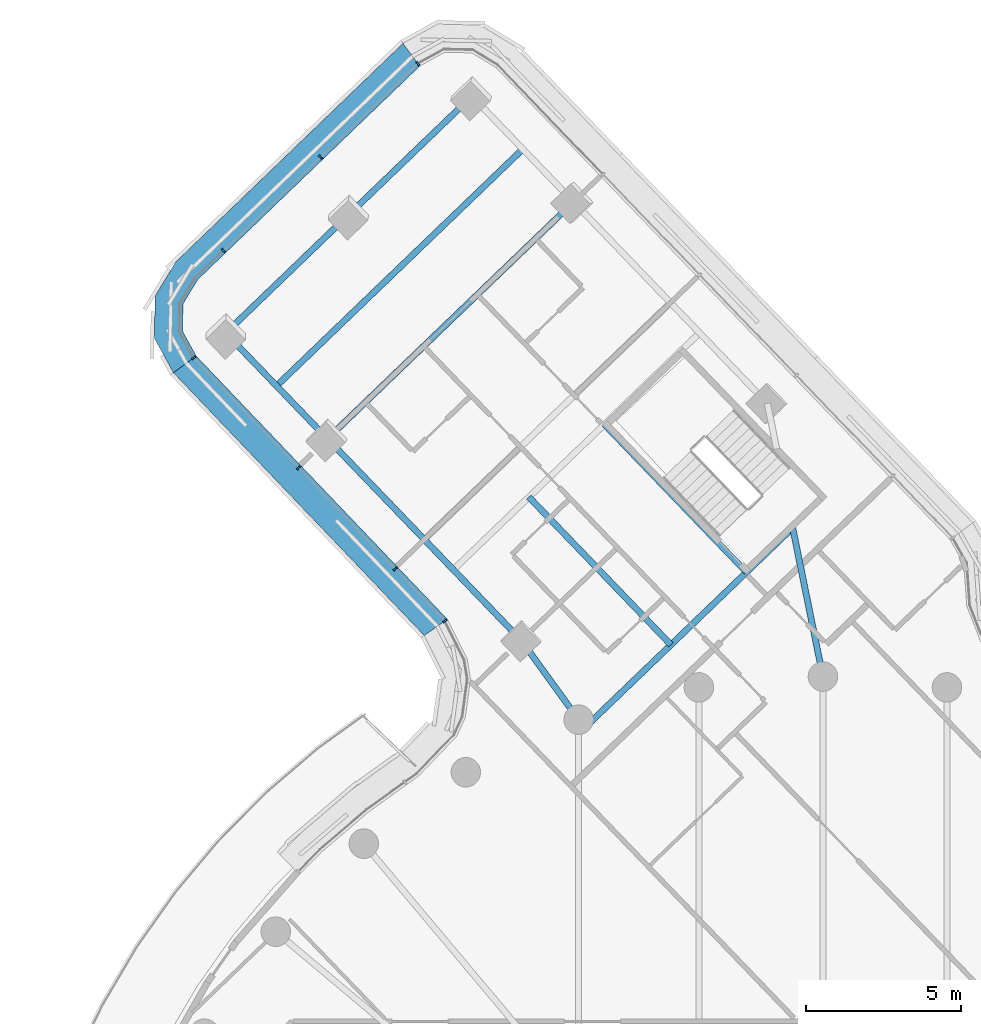
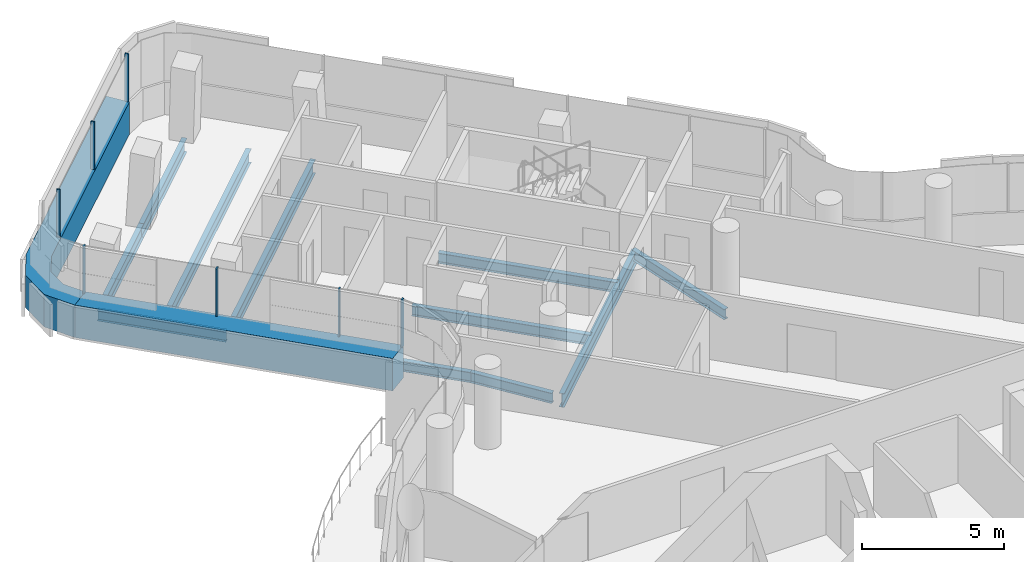
# One storey, part 15 of 34: 11 beams, 9 members, 3 elements without a shape of their own.
"""IFC4 building model written with IfcOpenShell, lengths in metres."""

import ifcopenshell
import ifcopenshell.guid

model = None  # the IFC model being written
_history = None  # IfcOwnerHistory: only IFC2X3 demands one
_inside = {}  # id of a spatial element -> (the spatial element, [elements in it])
_under = {}  # id of a project, library or spatial element -> (it, [spatial elements below it])
_declared = {}  # id of a project -> (the project, [libraries it declares])
_typed = {}  # id of a type object -> (the type object, [elements of that type])
_made_of = {}  # id of a material, layer set ... -> (it, [elements and type objects made of it])


def new_model(schema):
    """Start an empty IFC model of exactly this schema.

    Asked for "IFC4X3", IfcOpenShell would pick the latest addendum, in which some entities
    have other attributes; the version numbers below select the first issue.
    IFC2X3 requires an IfcOwnerHistory on every rooted entity: one is made here for all.
    """
    global model, _history
    if schema == "IFC4X3":
        model = ifcopenshell.file(schema_version=(4, 3, 0, 0))
    else:
        model = ifcopenshell.file(schema=schema)
    _inside.clear()
    _under.clear()
    _declared.clear()
    _typed.clear()
    _made_of.clear()
    _history = None
    if model.schema == "IFC2X3":
        org = make("IfcOrganization", Name="unknown")
        user = make(
            "IfcPersonAndOrganization",
            ThePerson=make("IfcPerson", FamilyName="unknown"),
            TheOrganization=org,
        )
        app = make(
            "IfcApplication",
            ApplicationDeveloper=org,
            Version="unknown",
            ApplicationFullName="unknown",
            ApplicationIdentifier="unknown",
        )
        _history = make(
            "IfcOwnerHistory",
            OwningUser=user,
            OwningApplication=app,
            ChangeAction="ADDED",
            CreationDate=0,
        )
    return model


def make(cls, **values):
    """One entity of the class cls with the attributes given. An attribute that is None is left unset."""
    return model.create_entity(
        cls, **{name: value for name, value in values.items() if value is not None}
    )


def rooted(cls, **values):
    """An entity with a GlobalId (a new one), such as an element, a storey or a relation."""
    return make(cls, GlobalId=ifcopenshell.guid.new(), OwnerHistory=_history, **values)


def si_unit(unit_type, name, prefix=None):
    """IfcSIUnit, for example si_unit("LENGTHUNIT", "METRE", prefix="MILLI")."""
    return make("IfcSIUnit", UnitType=unit_type, Prefix=prefix, Name=name)


def assignment(units):
    """IfcUnitAssignment: the units of a project."""
    return None if units is None else make("IfcUnitAssignment", Units=units)


def point(xyz):
    """IfcCartesianPoint."""
    return None if xyz is None else make("IfcCartesianPoint", Coordinates=xyz)


def direction(xyz):
    """IfcDirection."""
    return None if xyz is None else make("IfcDirection", DirectionRatios=xyz)


def frame(location, z_axis=None, x_axis=None):
    """IfcAxis2Placement3D, a coordinate frame: its origin and axes. An axis left out is left unset."""
    return make(
        "IfcAxis2Placement3D",
        Location=point(location),
        Axis=direction(z_axis),
        RefDirection=direction(x_axis),
    )


def frame_2d(location, x_axis=None):
    """IfcAxis2Placement2D, a coordinate frame in the plane: its origin and x axis."""
    return make(
        "IfcAxis2Placement2D", Location=point(location), RefDirection=direction(x_axis)
    )


def origin():
    """The frame at (0, 0, 0) with its axes left unset."""
    return frame((0.0, 0.0, 0.0))


def origin_2d():
    """The frame at (0, 0) in the plane with its x axis left unset."""
    return frame_2d((0.0, 0.0))


def place(relative_to, where):
    """IfcLocalPlacement: puts the frame where relative to a parent placement (None: the world)."""
    return make(
        "IfcLocalPlacement", PlacementRelTo=relative_to, RelativePlacement=where
    )


def context(
    kind, dimensions, precision=None, world=None, true_north=None, identifier=None
):
    """IfcGeometricRepresentationContext, for example the 3D "Model" context."""
    return make(
        "IfcGeometricRepresentationContext",
        ContextIdentifier=identifier,
        ContextType=kind,
        CoordinateSpaceDimension=dimensions,
        Precision=precision,
        WorldCoordinateSystem=world,
        TrueNorth=true_north,
    )


def subcontext(parent, identifier, kind, view, scale=None):
    """IfcGeometricRepresentationSubContext, for example "Body" below "Model"."""
    return make(
        "IfcGeometricRepresentationSubContext",
        ContextIdentifier=identifier,
        ContextType=kind,
        ParentContext=parent,
        TargetScale=scale,
        TargetView=view,
    )


def project(units=None, contexts=None):
    """IfcProject with its units and contexts."""
    return rooted(
        "IfcProject",
        Name="project",
        RepresentationContexts=contexts,
        UnitsInContext=assignment(units),
    )


def spatial(cls, under=None, at=None, **own):
    """A site, building, storey or space (cls), placed at a placement, below another one or the project."""
    s = rooted(cls, ObjectPlacement=at, **own)
    if under is not None:
        _under.setdefault(under.id(), (under, []))[1].append(s)
    return s


def polyline(points):
    """IfcPolyline through the points."""
    return make("IfcPolyline", Points=[point(p) for p in points])


def profile(cls, at=None, kind="AREA", **sizes):
    """A parametric profile (cls). Its sizes go by their IFC names, for example OverallWidth=200.0."""
    return make(cls, ProfileType=kind, Position=at, **sizes)


def rectangle(**sizes):
    """IfcRectangleProfileDef."""
    return profile("IfcRectangleProfileDef", **sizes)


def i_section(**sizes):
    """IfcIShapeProfileDef."""
    return profile("IfcIShapeProfileDef", **sizes)


def outline(outer, holes=None, kind="AREA"):
    """IfcArbitraryClosedProfileDef: a profile drawn as a closed curve; with holes, ...WithVoids."""
    if holes is None:
        return make("IfcArbitraryClosedProfileDef", ProfileType=kind, OuterCurve=outer)
    return make(
        "IfcArbitraryProfileDefWithVoids",
        ProfileType=kind,
        OuterCurve=outer,
        InnerCurves=holes,
    )


def extrude(swept, where, along, depth):
    """IfcExtrudedAreaSolid: the profile swept, set in the frame where, extruded along a direction by depth."""
    return make(
        "IfcExtrudedAreaSolid",
        SweptArea=swept,
        Position=where,
        ExtrudedDirection=direction(along),
        Depth=depth,
    )


def shape(context_of_items, identifier, shape_type, items):
    """IfcShapeRepresentation: the items that make up one representation, for example the "Body"."""
    return make(
        "IfcShapeRepresentation",
        ContextOfItems=context_of_items,
        RepresentationIdentifier=identifier,
        RepresentationType=shape_type,
        Items=items,
    )


def material(Name=None, Category=None):
    """IfcMaterial."""
    return make("IfcMaterial", Name=Name, Category=Category)


def layer(
    of_material, thickness, ventilated=None, Name=None, Category=None, Priority=None
):
    """IfcMaterialLayer: one layer of a wall or slab, of a material (None: an air gap)."""
    return make(
        "IfcMaterialLayer",
        Material=of_material,
        LayerThickness=thickness,
        IsVentilated=ventilated,
        Name=Name,
        Category=Category,
        Priority=Priority,
    )


def layer_set(layers, Name=None):
    """IfcMaterialLayerSet."""
    return make("IfcMaterialLayerSet", MaterialLayers=layers, LayerSetName=Name)


def material_profile(
    of_material, cross_section, Name=None, Category=None, Priority=None
):
    """IfcMaterialProfile: a cross section and its material."""
    return make(
        "IfcMaterialProfile",
        Name=Name,
        Material=of_material,
        Profile=cross_section,
        Priority=Priority,
        Category=Category,
    )


def profile_set(profiles, Name=None, composite=None):
    """IfcMaterialProfileSet."""
    return make(
        "IfcMaterialProfileSet",
        Name=Name,
        MaterialProfiles=profiles,
        CompositeProfile=composite,
    )


def made_of(thing, what):
    """Note that an element or type object is made of a material, layer set ...; save() writes the relation."""
    if what is not None:
        _made_of.setdefault(what.id(), (what, []))[1].append(thing)
    return thing


def type_object(cls, material=None, **own):
    """A type object (cls), such as IfcWallType, which elements share."""
    return made_of(rooted(cls, **own), material)


def element(
    cls,
    number,
    at=None,
    inside=None,
    cuts=None,
    type_object=None,
    material=None,
    context=None,
    identifier="Body",
    shape_type=None,
    held_by="IfcProductDefinitionShape",
    body=None,
    shapes=None,
    **own,
):
    """One element of the class cls, such as IfcWall. Its Tag is "e" and its number.

    at: its placement. inside: the storey or other place that contains it. cuts: it is an
    opening in that element (IfcRelVoidsElement). A single representation is given by context,
    identifier, shape_type and body (its items); several are given by shapes. held_by: the class
    of the entity that holds the representations. save() writes the other relations.
    """
    e = rooted(cls, Tag="e%d" % number, ObjectPlacement=at, **own)
    if body is not None:
        shapes = [shape(context, identifier, shape_type, body)]
    if shapes is not None:
        e.Representation = make(held_by, Representations=shapes)
    if inside is not None:
        _inside.setdefault(inside.id(), (inside, []))[1].append(e)
    if cuts is not None:
        rooted(
            "IfcRelVoidsElement", RelatingBuildingElement=cuts, RelatedOpeningElement=e
        )
    if type_object is not None:
        _typed.setdefault(type_object.id(), (type_object, []))[1].append(e)
    return made_of(e, material)


def aggregate(whole, parts):
    """IfcRelAggregates: a whole, such as a stair, and the parts it consists of."""
    return rooted("IfcRelAggregates", RelatingObject=whole, RelatedObjects=parts)


def save(model, path):
    """Write the relations noted so far, then the file.

    IfcRelAggregates (storeys below a building ...), IfcRelContainedInSpatialStructure (elements
    in a storey), IfcRelDefinesByType, IfcRelAssociatesMaterial and IfcRelDeclares: one each for
    every whole, place, type object, material and project.
    """
    for whole, parts in _under.values():
        aggregate(whole, parts)
    for where, things in _inside.values():
        rooted(
            "IfcRelContainedInSpatialStructure",
            RelatedElements=things,
            RelatingStructure=where,
        )
    for kind, things in _typed.values():
        rooted("IfcRelDefinesByType", RelatedObjects=things, RelatingType=kind)
    for what, things in _made_of.values():
        rooted("IfcRelAssociatesMaterial", RelatedObjects=things, RelatingMaterial=what)
    for by, libraries in _declared.values():
        rooted("IfcRelDeclares", RelatingContext=by, RelatedDefinitions=libraries)
    model.write(path)


model = new_model("IFC4")

# Units and contexts
model_context = context("Model", 3, precision=1e-05, world=origin(), true_north=direction((0.0, 1.0)))
body_context = subcontext(model_context, "Body", "Model", "MODEL_VIEW")
ifc_project = project(units=[si_unit("LENGTHUNIT", "METRE"), si_unit("AREAUNIT", "SQUARE_METRE"), si_unit("VOLUMEUNIT", "CUBIC_METRE"), si_unit("PLANEANGLEUNIT", "RADIAN"), si_unit("MASSUNIT", "GRAM", prefix="KILO")], contexts=[model_context])

# Site, building, storey
site_placement = place(None, origin())
site = spatial("IfcSite", under=ifc_project, at=site_placement, CompositionType="ELEMENT")
building_placement = place(site_placement, origin())
building = spatial("IfcBuilding", under=site, at=building_placement, Name="Tamarind Cross Interchange Tower", CompositionType="ELEMENT")
storey_placement = place(building_placement, frame((0.0, 0.0, 193.300048828125)))
storey = spatial("IfcBuildingStorey", under=building, at=storey_placement, Name="L48", CompositionType="ELEMENT", Elevation=193.300048828125)

# Beams
ifc_material_1 = material(Name="Steel Q355B", Category="steel")
ifc_material_profile_1 = material_profile(ifc_material_1, i_section(OverallWidth=0.198974609375, OverallDepth=0.446044921875, WebThickness=0.008056640625, FlangeThickness=0.011962890625, FilletRadius=0.012939453125, at=origin_2d()), Name="HN 446x199x8x12")
ifc_profile_set_1 = profile_set([ifc_material_profile_1], Name="Steel Q355B")
beam_type_1 = type_object("IfcBeamType", Name="Composite beam HN 446x199x8x12 Q355B", PredefinedType="BEAM", material=ifc_profile_set_1)
beam_1_placement = place(storey_placement, frame((-19.231201171875, 34.062255859375, -0.363037109375), z_axis=(0.693201651519, -0.720743692537, 0.0), x_axis=(0.720743692537, 0.693201651519, 0.0)))
element("IfcBeam", 1, at=beam_1_placement, inside=storey, type_object=beam_type_1, Name="Beam N-edgeep2", PredefinedType="BEAM", context=body_context, shape_type="SweptSolid", body=[
    extrude(i_section(OverallWidth=0.198974609375, OverallDepth=0.446044921875, WebThickness=0.008056640625, FlangeThickness=0.011962890625, FilletRadius=0.012939453125, at=origin_2d()), origin(), (0.0, 0.0, 1.0), 4.724609375),
])
beam_2_placement = place(storey_placement, frame((-15.9560546875, 30.656982421875, -0.363037109375), z_axis=(0.693164551899, -0.720779372618, 0.0), x_axis=(0.720779372618, 0.693164551899, 0.0)))
element("IfcBeam", 2, at=beam_2_placement, inside=storey, type_object=beam_type_1, Name="Beam N-edgeep3", PredefinedType="BEAM", context=body_context, shape_type="SweptSolid", body=[
    extrude(i_section(OverallWidth=0.198974609375, OverallDepth=0.446044921875, WebThickness=0.008056640625, FlangeThickness=0.011962890625, FilletRadius=0.012939453125, at=origin_2d()), origin(), (0.0, 0.0, 1.0), 9.0),
])
beam_3_placement = place(storey_placement, frame((-0.986572265625, 27.849609375, -0.363037109375), z_axis=(0.199350100332, -0.979928332837, 0.0), x_axis=(0.979928332837, 0.199350100332, 0.0)))
element("IfcBeam", 3, at=beam_3_placement, inside=storey, type_object=beam_type_1, Name="Beam N-linkemt1", PredefinedType="BEAM", context=body_context, shape_type="SweptSolid", body=[
    extrude(i_section(OverallWidth=0.198974609375, OverallDepth=0.446044921875, WebThickness=0.008056640625, FlangeThickness=0.011962890625, FilletRadius=0.012939453125, at=origin_2d()), origin(), (0.0, 0.0, 1.0), 4.948974609375),
])
beam_4_placement = place(storey_placement, frame((-9.717529296875, 24.169921875, -0.363037109375), z_axis=(0.586413581909, -0.810011796799, 0.0), x_axis=(0.810011796799, 0.586413581909, 0.0)))
element("IfcBeam", 4, at=beam_4_placement, inside=storey, type_object=beam_type_1, Name="Beam N-linkep", PredefinedType="BEAM", context=body_context, shape_type="SweptSolid", body=[
    extrude(i_section(OverallWidth=0.198974609375, OverallDepth=0.446044921875, WebThickness=0.008056640625, FlangeThickness=0.011962890625, FilletRadius=0.012939453125, at=origin_2d()), origin(), (0.0, 0.0, 1.0), 3.156494140625),
])
for number, where, z_axis, x_axis, name in (
    (5, (-2.4609375, 26.3623046875, -0.363037109375), (-0.693174506749, 0.720769799029, 0.0), (-0.720769799029, -0.693174506749, 0.0), "Beam N-tr1"),
    (6, (-4.8935546875, 24.022705078125, -0.363037109375), (-0.693174506749, 0.720769799029, 0.0), (-0.720769799029, -0.693174506749, 0.0), "Beam N-stripp"),
):
    element("IfcBeam", number, at=place(storey_placement, frame(where, z_axis=z_axis, x_axis=x_axis)), inside=storey, type_object=beam_type_1, Name=name, PredefinedType="BEAM", context=body_context, shape_type="SweptSolid", body=[
        extrude(i_section(OverallWidth=0.198974609375, OverallDepth=0.446044921875, WebThickness=0.008056640625, FlangeThickness=0.011962890625, FilletRadius=0.012939453125, at=origin_2d()), origin(), (0.0, 0.0, 1.0), 6.60009765625),
    ])
ifc_material_profile_2 = material_profile(ifc_material_1, i_section(OverallWidth=0.198974609375, OverallDepth=0.595947265625, WebThickness=0.010009765625, FlangeThickness=0.014892578125, FilletRadius=0.012939453125, at=origin_2d()), Name="HN 596x199x10x15")
ifc_profile_set_2 = profile_set([ifc_material_profile_2], Name="Steel Q355B")
beam_type_2 = type_object("IfcBeamType", Name="Composite beam HN 596x199x10x15 Q355B", PredefinedType="BEAM", material=ifc_profile_set_2)
for number, where, z_axis, x_axis, name in (
    (7, (-11.302490234375, 41.687255859375, -0.43798828125), (-0.720776766867, -0.693167261449, 0.0), (0.693167261449, -0.720776766867, 0.0), "Beam N-tip0"),
    (8, (-15.266845703125, 37.874755859375, -0.43798828125), (-0.720776766867, -0.693167261449, 0.0), (0.693167261449, -0.720776766867, 0.0), "Beam N-tip1"),
):
    element("IfcBeam", number, at=place(storey_placement, frame(where, z_axis=z_axis, x_axis=x_axis)), inside=storey, type_object=beam_type_2, Name=name, PredefinedType="BEAM", context=body_context, shape_type="SweptSolid", body=[
        extrude(i_section(OverallWidth=0.198974609375, OverallDepth=0.595947265625, WebThickness=0.010009765625, FlangeThickness=0.014892578125, FilletRadius=0.012939453125, at=origin_2d()), origin(), (0.0, 0.0, 1.0), 5.5),
    ])
beam_5_placement = place(storey_placement, frame((-0.974609375, 27.79150390625, -0.43798828125), z_axis=(-0.720788432934, -0.693155130507, 0.0), x_axis=(0.693155130507, -0.720788432934, 0.0)))
element("IfcBeam", 9, at=beam_5_placement, inside=storey, type_object=beam_type_2, Name="Beam N-x268", PredefinedType="BEAM", context=body_context, shape_type="SweptSolid", body=[
    extrude(i_section(OverallWidth=0.198974609375, OverallDepth=0.595947265625, WebThickness=0.010009765625, FlangeThickness=0.014892578125, FilletRadius=0.012939453125, at=origin_2d()), origin(), (0.0, 0.0, 1.0), 9.250244140625),
])
for number, where, z_axis, x_axis, name in (
    (10, (-8.027587890625, 38.28173828125, -0.43798828125), (-0.720777191632, -0.693166819765, 0.0), (0.693166819765, -0.720777191632, 0.0), "Beam N-x393"),
    (11, (-9.6650390625, 39.984619140625, -0.43798828125), (-0.720766102754, -0.693178350153, 0.0), (0.693178350153, -0.720766102754, 0.0), "Beam N-x417"),
):
    element("IfcBeam", number, at=place(storey_placement, frame(where, z_axis=z_axis, x_axis=x_axis)), inside=storey, type_object=beam_type_2, Name=name, PredefinedType="BEAM", context=body_context, shape_type="SweptSolid", body=[
        extrude(i_section(OverallWidth=0.198974609375, OverallDepth=0.595947265625, WebThickness=0.010009765625, FlangeThickness=0.014892578125, FilletRadius=0.012939453125, at=origin_2d()), origin(), (0.0, 0.0, 1.0), 11.0),
    ])

# Curtain wall, member
ifc_material_2 = material(Name="Aluminium 6063-T6", Category="aluminium")
ifc_layer = layer(ifc_material_2, 0.139892578125)
ifc_layer_set = layer_set([ifc_layer], Name="Aluminium 6063-T6")
curtain_wall_type = type_object("IfcCurtainWallType", Name="Hotel curtain wall, 4.5 m bays", PredefinedType="NOTDEFINED", material=ifc_layer_set)
curtain_wall_1_placement = place(storey_placement, origin())
curtain_wall_1 = element("IfcCurtainWall", 12, at=curtain_wall_1_placement, inside=storey, type_object=curtain_wall_type, Name="CWS-L48-08", PredefinedType="NOTDEFINED")
ifc_material_3 = material(Name="Aluminium and insulated spandrel panel", Category="aluminium")
member_type_1 = type_object("IfcMemberType", Name="Floor-edge blade transom", PredefinedType="USERDEFINED", material=ifc_material_3)
member_1_placement = place(storey_placement, origin())
member_1 = element("IfcMember", 13, at=member_1_placement, type_object=member_type_1, Name="CWT-L48-08", ObjectType="TRANSOM", PredefinedType="USERDEFINED", context=body_context, shape_type="SweptSolid", body=[
    extrude(outline(polyline([(-12.984130859375, 42.657470703125), (-20.135009765625, 35.780517578125), (-20.608154296875, 34.996826171875), (-20.625244140625, 34.12255859375), (-20.1826171875, 33.320556640625), (-20.914306640625, 32.783447265625), (-21.52978515625, 33.89892578125), (-21.503173828125, 35.255615234375), (-20.84423828125, 36.34716796875), (-13.522705078125, 43.388427734375), (-12.984130859375, 42.657470703125)])), origin(), (0.0, 0.0, 1.0), 1.39990234375),
])

curtain_wall_2_placement = place(storey_placement, origin())
curtain_wall_2 = element("IfcCurtainWall", 14, at=curtain_wall_2_placement, inside=storey, type_object=curtain_wall_type, Name="CWS-L48-09", PredefinedType="NOTDEFINED")
member_2_placement = place(storey_placement, origin())
member_2 = element("IfcMember", 15, at=member_2_placement, type_object=member_type_1, Name="CWT-L48-09", ObjectType="TRANSOM", PredefinedType="USERDEFINED", context=body_context, shape_type="SweptSolid", body=[
    extrude(outline(polyline([(-20.1826171875, 33.320556640625), (-12.092529296875, 24.843994140625), (-12.836181640625, 24.31982421875), (-20.914306640625, 32.783447265625), (-20.1826171875, 33.320556640625)])), origin(), (0.0, 0.0, 1.0), 1.39990234375),
])

# Member
ifc_material_profile_3 = material_profile(ifc_material_2, rectangle(XDim=0.06005859375, YDim=0.139892578125, at=origin_2d()), Name="Mullion CW2")
ifc_profile_set_3 = profile_set([ifc_material_profile_3], Name="Aluminium 6063-T6")
member_type_2 = type_object("IfcMemberType", Name="Mullion CW2", PredefinedType="MULLION", material=ifc_profile_set_3)
member_3_placement = place(storey_placement, frame((-13.0439453125, 42.73876953125, 1.39990234375), z_axis=(0.0, 0.0, 1.0), x_axis=(-0.805084326735, -0.593160371945, 0.0)))
member_3 = element("IfcMember", 16, at=member_3_placement, type_object=member_type_2, Name="CWM-L48-08-00", PredefinedType="MULLION", context=body_context, shape_type="SweptSolid", body=[
    extrude(rectangle(XDim=0.06005859375, YDim=0.139892578125, at=origin_2d()), origin(), (0.0, 0.0, 1.0), 2.06005859375),
])

member_4_placement = place(storey_placement, frame((-16.17626953125, 39.7265625, 1.39990234375), z_axis=(0.0, 0.0, 1.0), x_axis=(-0.720773753988, -0.69317039432, 0.0)))
member_4 = element("IfcMember", 17, at=member_4_placement, type_object=member_type_2, Name="CWM-L48-08-01", PredefinedType="MULLION", context=body_context, shape_type="SweptSolid", body=[
    extrude(rectangle(XDim=0.06005859375, YDim=0.139892578125, at=origin_2d()), origin(), (0.0, 0.0, 1.0), 2.06005859375),
])

member_5_placement = place(storey_placement, frame((-19.308349609375, 36.714111328125, 1.39990234375), z_axis=(0.0, 0.0, 1.0), x_axis=(-0.720773753988, -0.69317039432, 0.0)))
member_5 = element("IfcMember", 18, at=member_5_placement, type_object=member_type_2, Name="CWM-L48-08-02", PredefinedType="MULLION", context=body_context, shape_type="SweptSolid", body=[
    extrude(rectangle(XDim=0.06005859375, YDim=0.139892578125, at=origin_2d()), origin(), (0.0, 0.0, 1.0), 2.06005859375),
])

aggregate(curtain_wall_1, [member_3, member_4, member_5, member_1])

member_6_placement = place(storey_placement, frame((-20.263916015625, 33.2607421875, 1.39990234375), z_axis=(0.0, 0.0, 1.0), x_axis=(0.591634017774, -0.80620666644, 0.0)))
member_6 = element("IfcMember", 19, at=member_6_placement, type_object=member_type_2, Name="CWM-L48-09-00", PredefinedType="MULLION", context=body_context, shape_type="SweptSolid", body=[
    extrude(rectangle(XDim=0.06005859375, YDim=0.139892578125, at=origin_2d()), origin(), (0.0, 0.0, 1.0), 2.06005859375),
])

member_7_placement = place(storey_placement, frame((-16.886962890625, 29.72265625, 1.39990234375), z_axis=(0.0, 0.0, 1.0), x_axis=(0.690434308615, -0.723395096395, 0.0)))
member_7 = element("IfcMember", 20, at=member_7_placement, type_object=member_type_2, Name="CWM-L48-09-01", PredefinedType="MULLION", context=body_context, shape_type="SweptSolid", body=[
    extrude(rectangle(XDim=0.06005859375, YDim=0.139892578125, at=origin_2d()), origin(), (0.0, 0.0, 1.0), 2.06005859375),
])

member_8_placement = place(storey_placement, frame((-13.779052734375, 26.46630859375, 1.39990234375), z_axis=(0.0, 0.0, 1.0), x_axis=(0.690434308615, -0.723395096395, 0.0)))
member_8 = element("IfcMember", 21, at=member_8_placement, type_object=member_type_2, Name="CWM-L48-09-02", PredefinedType="MULLION", context=body_context, shape_type="SweptSolid", body=[
    extrude(rectangle(XDim=0.06005859375, YDim=0.139892578125, at=origin_2d()), origin(), (0.0, 0.0, 1.0), 2.06005859375),
])

aggregate(curtain_wall_2, [member_6, member_7, member_8, member_2])

# Curtain wall, member
curtain_wall_3_placement = place(storey_placement, origin())
curtain_wall_3 = element("IfcCurtainWall", 22, at=curtain_wall_3_placement, inside=storey, type_object=curtain_wall_type, Name="CWS-L48-10", PredefinedType="NOTDEFINED")
member_9_placement = place(storey_placement, frame((-12.17529296875, 24.785888671875, 1.39990234375), z_axis=(0.0, 0.0, 1.0), x_axis=(0.576176122891, -0.81732556268, 0.0)))
member_9 = element("IfcMember", 23, at=member_9_placement, type_object=member_type_2, Name="CWM-L48-10-00", PredefinedType="MULLION", context=body_context, shape_type="SweptSolid", body=[
    extrude(rectangle(XDim=0.06005859375, YDim=0.139892578125, at=origin_2d()), origin(), (0.0, 0.0, 1.0), 2.06005859375),
])
aggregate(curtain_wall_3, [member_9])

save(model, "model.ifc")
